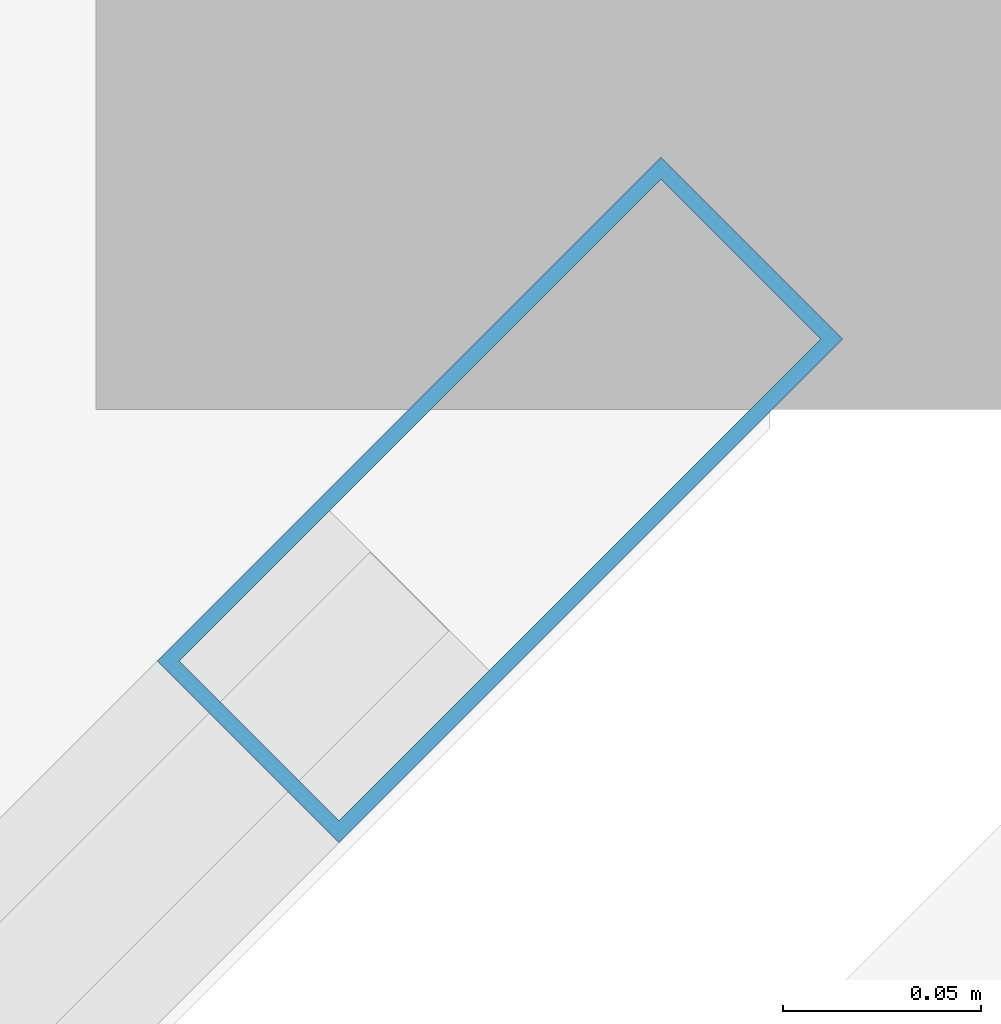
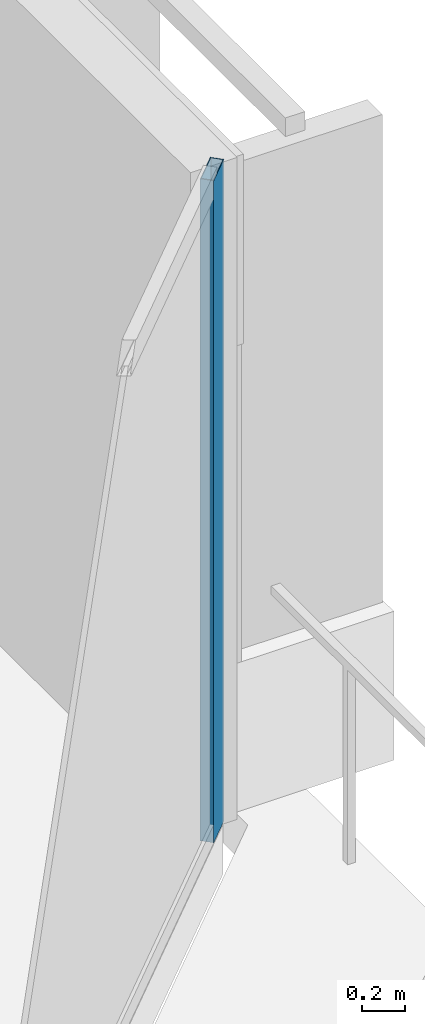
# One storey, part 22 of 38: 1 member, 1 element without a shape of its own.
"""IFC4 building model written with IfcOpenShell, lengths in metres."""

from ifc_helpers import new_model, si_unit, direction, frame, origin, origin_2d, place, context, subcontext, project, spatial, hollow_rectangle, extrude, material, layer, layer_set, material_profile, profile_set, type_object, element, aggregate, save


model = new_model("IFC4")

# Units and contexts
model_context = context("Model", 3, precision=1e-05, world=origin(), true_north=direction((0.0, 1.0)))
body_context = subcontext(model_context, "Body", "Model", "MODEL_VIEW")
ifc_project = project(units=[si_unit("LENGTHUNIT", "METRE"), si_unit("AREAUNIT", "SQUARE_METRE"), si_unit("VOLUMEUNIT", "CUBIC_METRE"), si_unit("PLANEANGLEUNIT", "RADIAN"), si_unit("MASSUNIT", "GRAM", prefix="KILO")], contexts=[model_context])

# Site, building, storey
site_placement = place(None, origin())
site = spatial("IfcSite", under=ifc_project, at=site_placement, CompositionType="ELEMENT")
building_placement = place(site_placement, origin())
building = spatial("IfcBuilding", under=site, at=building_placement, Name="Tanjung Sevakor Pilgrim Tower", CompositionType="ELEMENT")
storey_placement = place(building_placement, frame((0.0, 0.0, 78.2099609375)))
storey = spatial("IfcBuildingStorey", under=building, at=storey_placement, Name="L21", CompositionType="ELEMENT", Elevation=78.2099609375)

# Curtain wall, member
ifc_material_1 = material(Name="Aluminium 6063-T6 and Low-E Glass", Category="aluminium")
ifc_layer = layer(ifc_material_1, 0.179931640625)
ifc_layer_set = layer_set([ifc_layer], Name="CW-SYS-CHAM")
curtain_wall_type = type_object("IfcCurtainWallType", Name="CW-SYS-CHAM", PredefinedType="NOTDEFINED", material=ifc_layer_set)
curtain_wall_placement = place(storey_placement, origin())
curtain_wall = element("IfcCurtainWall", 1, at=curtain_wall_placement, inside=storey, type_object=curtain_wall_type, Name="L21 Curtain Wall CW-CHM-L21-MAIN-5", PredefinedType="NOTDEFINED")
ifc_material_2 = material(Name="Aluminium 6063-T6", Category="aluminium")
ifc_material_profile = material_profile(ifc_material_2, hollow_rectangle(XDim=0.06494140625, YDim=0.179931640625, WallThickness=0.00390625, at=origin_2d()))
ifc_profile_set = profile_set([ifc_material_profile], Name="Aluminium 6063-T6")
member_type = type_object("IfcMemberType", Name="TYPE-CWM-1", PredefinedType="MULLION", material=ifc_profile_set)
member_placement = place(storey_placement, frame((100.251953125, 13.828857421875, 0.0), z_axis=(0.0, 0.0, 1.0), x_axis=(-0.707106781187, 0.707106781187, 0.0)))
member = element("IfcMember", 2, at=member_placement, type_object=member_type, Name="CW-CHM mullion 2", PredefinedType="MULLION", context=body_context, shape_type="SweptSolid", body=[
    extrude(hollow_rectangle(XDim=0.06494140625, YDim=0.179931640625, WallThickness=0.00390625, at=origin_2d()), origin(), (0.0, 0.0, 1.0), 3.739990234375),
])
aggregate(curtain_wall, [member])

save(model, "model.ifc")
